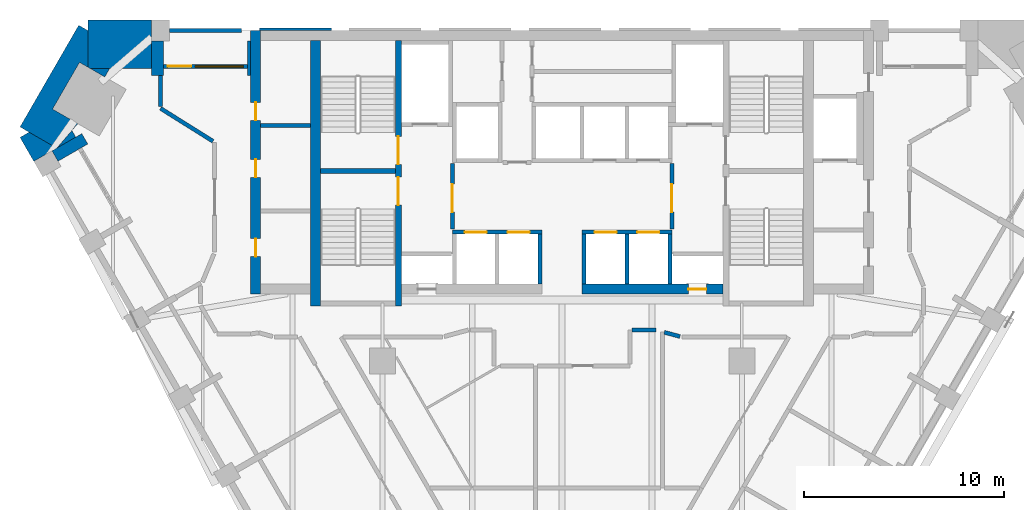
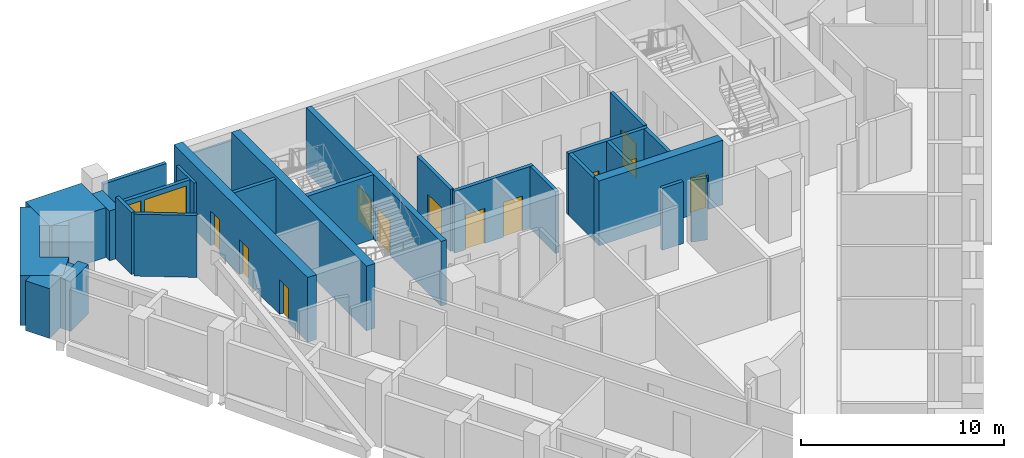
# One storey, part 5 of 9: 29 walls, 13 doors, 1 window, 14 openings.
"""IFC4 building model written with IfcOpenShell, lengths in metres."""

from ifc_helpers import new_model, si_unit, direction, frame, frame_2d, origin, place, context, subcontext, project, spatial, polyline, rectangle, outline, extrude, material, layer, layer_set, type_object, element, fill, save


model = new_model("IFC4")

# Units and contexts
model_context = context("Model", 3, precision=1e-05, world=origin(), true_north=direction((0.0, 1.0)))
body_context = subcontext(model_context, "Body", "Model", "MODEL_VIEW")
ifc_project = project(units=[si_unit("LENGTHUNIT", "METRE"), si_unit("AREAUNIT", "SQUARE_METRE"), si_unit("VOLUMEUNIT", "CUBIC_METRE"), si_unit("PLANEANGLEUNIT", "RADIAN"), si_unit("MASSUNIT", "GRAM", prefix="KILO")], contexts=[model_context])

# Site, building, storey
site_placement = place(None, origin())
site = spatial("IfcSite", under=ifc_project, at=site_placement, CompositionType="ELEMENT")
building_placement = place(site_placement, origin())
building = spatial("IfcBuilding", under=site, at=building_placement, Name="Calabash Gate Tower", CompositionType="ELEMENT")
storey_placement = place(building_placement, frame((0.0, 0.0, 160.199951171875)))
storey = spatial("IfcBuildingStorey", under=building, at=storey_placement, Name="L37", CompositionType="ELEMENT", Elevation=160.199951171875)

# Walls
ifc_material_1 = material(Name="Terracotta brick masonry, exposed face", Category="masonry")
ifc_layer_1 = layer(ifc_material_1, 2.425048828125)
ifc_layer_set_1 = layer_set([ifc_layer_1], Name="Brick corner mass wall 2425")
wall_type_1 = type_object("IfcWallType", Name="Brick corner mass wall 2425", PredefinedType="SOLIDWALL", material=ifc_layer_set_1)
wall_1_placement = place(storey_placement, origin())
element("IfcWall", 1, at=wall_1_placement, inside=storey, type_object=wall_type_1, Name="Brick corner pier S10 4a", PredefinedType="SOLIDWALL", context=body_context, shape_type="SweptSolid", body=[
    extrude(outline(polyline([(-23.645751953125, 17.152587890625), (-20.5625, 17.152587890625), (-20.5625, 18.528076171875), (-20.56298828125, 18.528076171875), (-20.56298828125, 19.57763671875), (-23.755615234375, 19.57763671875), (-23.755615234375, 17.216064453125), (-23.645751953125, 17.152587890625)])), origin(), (0.0, 0.0, 1.0), 3.0),
])
wall_2_placement = place(storey_placement, origin())
element("IfcWall", 2, at=wall_2_placement, inside=storey, type_object=wall_type_1, Name="Brick corner pier S10 4ba", PredefinedType="SOLIDWALL", context=body_context, shape_type="SweptSolid", body=[
    extrude(outline(polyline([(-24.25537109375, 14.386962890625), (-25.51806640625, 15.115966796875), (-24.168212890625, 17.4541015625), (-23.755615234375, 17.216064453125), (-23.755615234375, 19.052490234375), (-24.210205078125, 19.31494140625), (-27.150634765625, 14.221923828125), (-25.3125, 13.16064453125), (-24.25537109375, 14.386962890625)])), origin(), (0.0, 0.0, 1.0), 3.0),
])
wall_3_placement = place(storey_placement, origin())
element("IfcWall", 3, at=wall_3_placement, inside=storey, type_object=wall_type_1, Name="Brick corner pier S10 4bb", PredefinedType="SOLIDWALL", context=body_context, shape_type="SweptSolid", body=[
    extrude(outline(polyline([(-22.65869140625, 17.152587890625), (-23.645751953125, 17.152587890625), (-22.905517578125, 16.72509765625), (-22.65869140625, 17.152587890625)])), origin(), (0.0, 0.0, 1.0), 3.0),
])
wall_4_placement = place(storey_placement, origin())
element("IfcWall", 4, at=wall_4_placement, inside=storey, type_object=wall_type_1, Name="Brick corner pier S10 4ca", PredefinedType="SOLIDWALL", context=body_context, shape_type="SweptSolid", body=[
    extrude(outline(polyline([(-26.696044921875, 13.95947265625), (-27.150634765625, 13.697021484375), (-26.458984375, 12.498779296875), (-25.3125, 13.16064453125), (-26.696044921875, 13.95947265625)])), origin(), (0.0, 0.0, 1.0), 3.0),
])
wall_5_placement = place(storey_placement, origin())
element("IfcWall", 5, at=wall_5_placement, inside=storey, type_object=wall_type_1, Name="Brick corner pier S10 4cb", PredefinedType="SOLIDWALL", context=body_context, shape_type="SweptSolid", body=[
    extrude(outline(polyline([(-24.551025390625, 14.0439453125), (-25.305908203125, 13.168212890625), (-25.303955078125, 13.165771484375), (-24.35888671875, 13.71142578125), (-24.551025390625, 14.0439453125)])), origin(), (0.0, 0.0, 1.0), 3.0),
])
ifc_material_2 = material(Name="Terracotta brick masonry, exposed face", Category="masonry")
ifc_layer_2 = layer(ifc_material_2, 0.300048828125)
ifc_layer_set_2 = layer_set([ifc_layer_2], Name="Brick loggia cheek wall 300")
wall_type_2 = type_object("IfcWallType", Name="Brick loggia cheek wall 300", PredefinedType="SOLIDWALL", material=ifc_layer_set_2)
wall_6_placement = place(storey_placement, frame((-25.399169921875, 12.76416015625, 0.0), z_axis=(0.0, 0.0, 1.0), x_axis=(0.866004044806, 0.500036993012, 0.0)))
element("IfcWall", 6, at=wall_6_placement, inside=storey, type_object=wall_type_2, Name="Loggia cheek S10 SW0.0", PredefinedType="SOLIDWALL", context=body_context, shape_type="SweptSolid", body=[
    extrude(rectangle(XDim=1.724365234375, YDim=0.60009765625, at=frame_2d((0.8623046875, 0.0))), origin(), (0.0, 0.0, 1.0), 3.0),
])
wall_7_placement = place(storey_placement, origin())
element("IfcWall", 7, at=wall_7_placement, inside=storey, type_object=wall_type_2, Name="Loggia cheek S10 N6.8", PredefinedType="SOLIDWALL", context=body_context, shape_type="SweptSolid", body=[
    extrude(outline(polyline([(-15.762451171875, 16.802490234375), (-15.60009765625, 16.802490234375), (-15.60009765625, 18.527587890625), (-15.762451171875, 18.527587890625), (-15.762451171875, 16.802490234375)])), origin(), (0.0, 0.0, 1.0), 3.0),
])
wall_8_placement = place(storey_placement, origin())
element("IfcWall", 8, at=wall_8_placement, inside=storey, type_object=wall_type_2, Name="Loggia cheek S10 N6.9", PredefinedType="SOLIDWALL", context=body_context, shape_type="SweptSolid", body=[
    extrude(outline(polyline([(-20.5625, 18.527587890625), (-20.5625, 16.802490234375), (-19.962646484375, 16.802490234375), (-19.962646484375, 18.527587890625), (-20.5625, 18.527587890625)])), origin(), (0.0, 0.0, 1.0), 3.0),
])
ifc_material_3 = material(Name="Gypsum board on steel studs, mineral wool", Category="steel")
ifc_layer_3 = layer(ifc_material_3, 0.199951171875)
ifc_layer_set_3 = layer_set([ifc_layer_3], Name="Core partition 200 gypsum board")
wall_type_3 = type_object("IfcWallType", Name="Core partition 200 gypsum board", PredefinedType="PARTITIONING", material=ifc_layer_set_3)
wall_9_placement = place(storey_placement, frame((-15.10009765625, 14.28271484375, 0.0), z_axis=(0.0, 0.0, 1.0), x_axis=(1.0, 0.0, 0.0)))
element("IfcWall", 9, at=wall_9_placement, inside=storey, type_object=wall_type_3, Name="Core partition", PredefinedType="PARTITIONING", context=body_context, shape_type="SweptSolid", body=[
    extrude(rectangle(XDim=2.5, YDim=0.199951171875, at=frame_2d((1.25, 0.0))), origin(), (0.0, 0.0, 1.0), 3.72998046875),
])
ifc_material_4 = material(Name="Concrete C70/85", Category="concrete")
ifc_layer_4 = layer(ifc_material_4, 0.25)
ifc_layer_set_4 = layer_set([ifc_layer_4], Name="Core wall 250 Concrete C70/85")
wall_type_4 = type_object("IfcWallType", Name="Core wall 250 Concrete C70/85", PredefinedType="SHEAR", material=ifc_layer_set_4)
wall_10_placement = place(storey_placement, frame((-12.10009765625, 12.027587890625, 0.0), z_axis=(0.0, 0.0, 1.0), x_axis=(1.0, 0.0, 0.0)))
element("IfcWall", 10, at=wall_10_placement, inside=storey, type_object=wall_type_4, Name="Core wall Z3-MIDW L37", PredefinedType="SHEAR", context=body_context, shape_type="SweptSolid", body=[
    extrude(rectangle(XDim=3.75, YDim=0.25, at=frame_2d((1.875, 0.0))), origin(), (0.0, 0.0, 1.0), 3.900146484375),
])

# Wall, openings, doors
ifc_material_5 = material(Name="Concrete C70/85", Category="concrete")
ifc_layer_5 = layer(ifc_material_5, 0.300048828125)
ifc_layer_set_5 = layer_set([ifc_layer_5], Name="Core wall 300 Concrete C70/85")
wall_type_5 = type_object("IfcWallType", Name="Core wall 300 Concrete C70/85", PredefinedType="SHEAR", material=ifc_layer_set_5)
wall_11_placement = place(storey_placement, frame((-8.199951171875, 5.252685546875, 0.0), z_axis=(0.0, 0.0, 1.0), x_axis=(0.0, 1.0, 0.0)))
wall_11 = element("IfcWall", 11, at=wall_11_placement, inside=storey, type_object=wall_type_5, Name="Core wall Z3-PARTW L37", PredefinedType="SHEAR", context=body_context, shape_type="SweptSolid", body=[
    extrude(rectangle(XDim=13.2998046875, YDim=0.300048828125, at=frame_2d((6.64990234375, 0.0))), origin(), (0.0, 0.0, 1.0), 3.900146484375),
])
opening_1_placement = place(wall_11_placement, frame((7.10009765625, 0.0, 0.0)))
opening_1 = element("IfcOpeningElement", 12, at=opening_1_placement, cuts=wall_11, Name="Opening O2-015", PredefinedType="OPENING", context=body_context, shape_type="SweptSolid", body=[
    extrude(rectangle(XDim=1.39990234375, YDim=2.10009765625, at=frame_2d((0.699951171875, 1.050048828125))), frame((0.0, 0.159912109375, 0.0), z_axis=(0.0, -1.0, 0.0), x_axis=(1.0, 0.0, 0.0)), (0.0, 0.0, 1.0), 0.320068359375),
])
opening_2_placement = place(wall_11_placement, frame((5.050048828125, 0.0, 0.0)))
opening_2 = element("IfcOpeningElement", 13, at=opening_2_placement, cuts=wall_11, Name="Opening O2-016", PredefinedType="OPENING", context=body_context, shape_type="SweptSolid", body=[
    extrude(rectangle(XDim=1.39990234375, YDim=2.10009765625, at=frame_2d((0.699951171875, 1.050048828125))), frame((0.0, 0.159912109375, 0.0), z_axis=(0.0, -1.0, 0.0), x_axis=(1.0, 0.0, 0.0)), (0.0, 0.0, 1.0), 0.320068359375),
])
ifc_material_6 = material(Name="Steel fire door set with fire-resisting glazing", Category="steel")
door_type_1 = type_object("IfcDoorType", Name="Fire door D05 1400x2100 FD90", OperationType="NOTDEFINED", PredefinedType="DOOR", material=ifc_material_6)
door_1_placement = place(opening_1_placement, origin())
door_1 = element("IfcDoor", 14, at=door_1_placement, inside=storey, type_object=door_type_1, Name="Exit stair door ST1", OperationType="SINGLE_SWING_LEFT", OverallHeight=2.10009765625, OverallWidth=1.39990234375, PredefinedType="DOOR", context=body_context, shape_type="SweptSolid", body=[
    extrude(rectangle(XDim=1.39990234375, YDim=2.10009765625, at=frame_2d((0.699951171875, 1.050048828125))), frame((0.0, 0.02490234375, 0.0), z_axis=(0.0, -1.0, 0.0), x_axis=(1.0, 0.0, 0.0)), (0.0, 0.0, 1.0), 0.050048828125),
])
fill(opening_1, door_1)
door_2_placement = place(opening_2_placement, origin())
door_2 = element("IfcDoor", 15, at=door_2_placement, inside=storey, type_object=door_type_1, Name="Exit stair door ST2", OperationType="SINGLE_SWING_LEFT", OverallHeight=2.10009765625, OverallWidth=1.39990234375, PredefinedType="DOOR", context=body_context, shape_type="SweptSolid", body=[
    extrude(rectangle(XDim=1.39990234375, YDim=2.10009765625, at=frame_2d((0.699951171875, 1.050048828125))), frame((0.0, 0.02490234375, 0.0), z_axis=(0.0, -1.0, 0.0), x_axis=(1.0, 0.0, 0.0)), (0.0, 0.0, 1.0), 0.050048828125),
])
fill(opening_2, door_2)

# Wall
ifc_material_7 = material(Name="Concrete C70/85", Category="concrete")
ifc_layer_6 = layer(ifc_material_7, 0.5)
ifc_layer_set_6 = layer_set([ifc_layer_6], Name="Core wall 500 Concrete C70/85")
wall_type_6 = type_object("IfcWallType", Name="Core wall 500 Concrete C70/85", PredefinedType="SHEAR", material=ifc_layer_set_6)
wall_12_placement = place(storey_placement, frame((-12.35009765625, 5.252685546875, 0.0), z_axis=(0.0, 0.0, 1.0), x_axis=(0.0, 1.0, 0.0)))
element("IfcWall", 16, at=wall_12_placement, inside=storey, type_object=wall_type_6, Name="Core wall Z3-COLW L37", PredefinedType="SHEAR", context=body_context, shape_type="SweptSolid", body=[
    extrude(rectangle(XDim=13.2998046875, YDim=0.5, at=frame_2d((6.64990234375, 0.0))), origin(), (0.0, 0.0, 1.0), 3.900146484375),
])

# Wall, opening, door
wall_13_placement = place(storey_placement, frame((1.0, 6.1025390625, 0.0), z_axis=(0.0, 0.0, 1.0), x_axis=(1.0, 0.0, 0.0)))
wall_13 = element("IfcWall", 17, at=wall_13_placement, inside=storey, type_object=wall_type_6, Name="Core wall Z3-SB L37", PredefinedType="SHEAR", context=body_context, shape_type="SweptSolid", body=[
    extrude(rectangle(XDim=7.050048828125, YDim=0.5, at=frame_2d((3.52490234375, 0.0))), origin(), (0.0, 0.0, 1.0), 3.900146484375),
])
opening_3_placement = place(wall_13_placement, frame((5.324951171875, 0.0, 0.0)))
opening_3 = element("IfcOpeningElement", 18, at=opening_3_placement, cuts=wall_13, Name="Opening O2-013", PredefinedType="OPENING", context=body_context, shape_type="SweptSolid", body=[
    extrude(rectangle(XDim=0.89990234375, YDim=2.10009765625, at=frame_2d((0.449951171875, 1.050048828125))), frame((0.0, 0.260009765625, 0.0), z_axis=(0.0, -1.0, 0.0), x_axis=(1.0, 0.0, 0.0)), (0.0, 0.0, 1.0), 0.52001953125),
])
ifc_material_8 = material(Name="Steel fire door set with fire-resisting glazing", Category="steel")
door_type_2 = type_object("IfcDoorType", Name="Fire door D07 900x2100 FD90", OperationType="NOTDEFINED", PredefinedType="DOOR", material=ifc_material_8)
door_3_placement = place(opening_3_placement, origin())
door_3 = element("IfcDoor", 19, at=door_3_placement, inside=storey, type_object=door_type_2, Name="Mechanical Riser E door", OperationType="SINGLE_SWING_RIGHT", OverallHeight=2.10009765625, OverallWidth=0.89990234375, PredefinedType="DOOR", context=body_context, shape_type="SweptSolid", body=[
    extrude(rectangle(XDim=0.89990234375, YDim=2.10009765625, at=frame_2d((0.449951171875, 1.050048828125))), frame((0.0, 0.02490234375, 0.0), z_axis=(0.0, -1.0, 0.0), x_axis=(1.0, 0.0, 0.0)), (0.0, 0.0, 1.0), 0.050048828125),
])
fill(opening_3, door_3)

# Wall, openings, doors
wall_14_placement = place(storey_placement, frame((-15.35009765625, 5.8525390625, 0.0), z_axis=(0.0, 0.0, 1.0), x_axis=(0.0, 1.0, 0.0)))
wall_14 = element("IfcWall", 20, at=wall_14_placement, inside=storey, type_object=wall_type_6, Name="Core wall Z3-ENDW L37", PredefinedType="SHEAR", context=body_context, shape_type="SweptSolid", body=[
    extrude(rectangle(XDim=13.199951171875, YDim=0.5, at=frame_2d((6.60009765625, 0.0))), origin(), (0.0, 0.0, 1.0), 3.900146484375),
])
opening_4_placement = place(wall_14_placement, frame((1.8798828125, 0.0, 0.0)))
opening_4 = element("IfcOpeningElement", 21, at=opening_4_placement, cuts=wall_14, Name="Opening O2-004", PredefinedType="OPENING", context=body_context, shape_type="SweptSolid", body=[
    extrude(rectangle(XDim=0.89990234375, YDim=2.10009765625, at=frame_2d((0.449951171875, 1.050048828125))), frame((0.0, 0.260009765625, 0.0), z_axis=(0.0, -1.0, 0.0), x_axis=(1.0, 0.0, 0.0)), (0.0, 0.0, 1.0), 0.52001953125),
])
opening_5_placement = place(wall_14_placement, frame((5.844970703125, 0.0, 0.0)))
opening_5 = element("IfcOpeningElement", 22, at=opening_5_placement, cuts=wall_14, Name="Opening O2-005", PredefinedType="OPENING", context=body_context, shape_type="SweptSolid", body=[
    extrude(rectangle(XDim=0.89990234375, YDim=2.10009765625, at=frame_2d((0.449951171875, 1.050048828125))), frame((0.0, 0.260009765625, 0.0), z_axis=(0.0, -1.0, 0.0), x_axis=(1.0, 0.0, 0.0)), (0.0, 0.0, 1.0), 0.52001953125),
])
opening_6_placement = place(wall_14_placement, frame((8.697509765625, 0.0, 0.0)))
opening_6 = element("IfcOpeningElement", 23, at=opening_6_placement, cuts=wall_14, Name="Opening O2-006", PredefinedType="OPENING", context=body_context, shape_type="SweptSolid", body=[
    extrude(rectangle(XDim=0.89990234375, YDim=2.10009765625, at=frame_2d((0.449951171875, 1.050048828125))), frame((0.0, 0.260009765625, 0.0), z_axis=(0.0, -1.0, 0.0), x_axis=(1.0, 0.0, 0.0)), (0.0, 0.0, 1.0), 0.52001953125),
])
ifc_material_9 = material(Name="Steel fire door set with fire-resisting glazing", Category="steel")
door_type_3 = type_object("IfcDoorType", Name="Fire door D06 900x2100 FD60", OperationType="NOTDEFINED", PredefinedType="DOOR", material=ifc_material_9)
door_4_placement = place(opening_4_placement, origin())
door_4 = element("IfcDoor", 24, at=door_4_placement, inside=storey, type_object=door_type_3, Name="Tenant Pantry door", OperationType="SINGLE_SWING_LEFT", OverallHeight=2.10009765625, OverallWidth=0.89990234375, PredefinedType="DOOR", context=body_context, shape_type="SweptSolid", body=[
    extrude(rectangle(XDim=0.89990234375, YDim=2.10009765625, at=frame_2d((0.449951171875, 1.050048828125))), frame((0.0, 0.02490234375, 0.0), z_axis=(0.0, -1.0, 0.0), x_axis=(1.0, 0.0, 0.0)), (0.0, 0.0, 1.0), 0.050048828125),
])
fill(opening_4, door_4)
door_5_placement = place(opening_5_placement, origin())
door_5 = element("IfcDoor", 25, at=door_5_placement, inside=storey, type_object=door_type_3, Name="Comms Room door", OperationType="SINGLE_SWING_LEFT", OverallHeight=2.10009765625, OverallWidth=0.89990234375, PredefinedType="DOOR", context=body_context, shape_type="SweptSolid", body=[
    extrude(rectangle(XDim=0.89990234375, YDim=2.10009765625, at=frame_2d((0.449951171875, 1.050048828125))), frame((0.0, 0.02490234375, 0.0), z_axis=(0.0, -1.0, 0.0), x_axis=(1.0, 0.0, 0.0)), (0.0, 0.0, 1.0), 0.050048828125),
])
fill(opening_5, door_5)
door_6_placement = place(opening_6_placement, origin())
door_6 = element("IfcDoor", 26, at=door_6_placement, inside=storey, type_object=door_type_3, Name="Cleaner's Store door", OperationType="SINGLE_SWING_LEFT", OverallHeight=2.10009765625, OverallWidth=0.89990234375, PredefinedType="DOOR", context=body_context, shape_type="SweptSolid", body=[
    extrude(rectangle(XDim=0.89990234375, YDim=2.10009765625, at=frame_2d((0.449951171875, 1.050048828125))), frame((0.0, 0.02490234375, 0.0), z_axis=(0.0, -1.0, 0.0), x_axis=(1.0, 0.0, 0.0)), (0.0, 0.0, 1.0), 0.050048828125),
])
fill(opening_6, door_6)

# Walls
ifc_material_10 = material(Name="Gypsum board on steel studs, mineral wool", Category="steel")
ifc_layer_7 = layer(ifc_material_10, 0.199951171875)
ifc_layer_set_7 = layer_set([ifc_layer_7], Name="Partition 200 gypsum board EI 60")
wall_type_7 = type_object("IfcWallType", Name="Partition 200 gypsum board EI 60", PredefinedType="PARTITIONING", material=ifc_layer_set_7)
wall_15_placement = place(storey_placement, frame((5.118408203125, 3.937255859375, 0.0), z_axis=(0.0, 0.0, 1.0), x_axis=(0.965583853378, -0.260091949308, 0.0)))
element("IfcWall", 27, at=wall_15_placement, inside=storey, type_object=wall_type_7, Name="Partition", PredefinedType="PARTITIONING", context=body_context, shape_type="SweptSolid", body=[
    extrude(rectangle(XDim=0.81298828125, YDim=0.199951171875, at=frame_2d((0.406494140625, 0.0))), origin(), (0.0, 0.0, 1.0), 3.72998046875),
])
wall_16_placement = place(storey_placement, frame((3.501953125, 4.05078125, 0.0), z_axis=(0.0, 0.0, 1.0), x_axis=(0.999998982503, 0.001426532072, 0.0)))
element("IfcWall", 28, at=wall_16_placement, inside=storey, type_object=wall_type_7, Name="Partition", PredefinedType="PARTITIONING", context=body_context, shape_type="SweptSolid", body=[
    extrude(rectangle(XDim=1.197998046875, YDim=0.199951171875, at=frame_2d((0.59912109375, 0.0))), origin(), (0.0, 0.0, 1.0), 3.72998046875),
])
wall_17_placement = place(storey_placement, frame((-20.11279296875, 15.152099609375, 0.0), z_axis=(0.0, 0.0, 1.0), x_axis=(0.847356354359, -0.531024678078, 0.0)))
element("IfcWall", 29, at=wall_17_placement, inside=storey, type_object=wall_type_7, Name="Partition", PredefinedType="PARTITIONING", context=body_context, shape_type="SweptSolid", body=[
    extrude(rectangle(XDim=3.10107421875, YDim=0.199951171875, at=frame_2d((1.550537109375, 0.0))), origin(), (0.0, 0.0, 1.0), 3.72998046875),
])
wall_18_placement = place(storey_placement, frame((-20.113037109375, 16.802490234375, 0.0), z_axis=(0.0, 0.0, 1.0), x_axis=(0.000157480313, -0.9999999876, 0.0)))
element("IfcWall", 30, at=wall_18_placement, inside=storey, type_object=wall_type_7, Name="Partition", PredefinedType="PARTITIONING", context=body_context, shape_type="SweptSolid", body=[
    extrude(rectangle(XDim=1.55029296875, YDim=0.199951171875, at=frame_2d((0.775146484375, 0.0))), origin(), (0.0, 0.0, 1.0), 3.72998046875),
])
ifc_material_11 = material(Name="Concrete C40/50", Category="concrete")
ifc_layer_8 = layer(ifc_material_11, 0.199951171875)
ifc_layer_set_8 = layer_set([ifc_layer_8], Name="Shaft wall 200 Concrete C40/50")
wall_type_8 = type_object("IfcWallType", Name="Shaft wall 200 Concrete C40/50", PredefinedType="SOLIDWALL", material=ifc_layer_set_8)
for number, where, z_axis, x_axis, name in (
    (31, (-1.10009765625, 6.3525390625, 0.0), (0.0, 0.0, 1.0), (0.0, 1.0, 0.0), "Shaft wall"),
    (32, (1.10009765625, 6.3525390625, 0.0), (0.0, 0.0, 1.0), (0.0, 1.0, 0.0), "Shaft wall"),
    (33, (3.25, 6.3525390625, 0.0), (0.0, 0.0, 1.0), (0.0, 1.0, 0.0), "Shaft wall"),
    (34, (5.39990234375, 6.3525390625, 0.0), (0.0, 0.0, 1.0), (0.0, 1.0, 0.0), "Shaft wall"),
):
    element("IfcWall", number, at=place(storey_placement, frame(where, z_axis=z_axis, x_axis=x_axis)), inside=storey, type_object=wall_type_8, Name=name, PredefinedType="SOLIDWALL", context=body_context, shape_type="SweptSolid", body=[
        extrude(rectangle(XDim=2.5, YDim=0.199951171875, at=frame_2d((1.25, 0.0))), origin(), (0.0, 0.0, 1.0), 3.72998046875),
    ])

# Wall, openings, doors
wall_19_placement = place(storey_placement, frame((-5.5, 8.95263671875, 0.0), z_axis=(0.0, 0.0, 1.0), x_axis=(1.0, 0.0, 0.0)))
wall_19 = element("IfcWall", 35, at=wall_19_placement, inside=storey, type_object=wall_type_8, Name="Shaft wall", PredefinedType="SOLIDWALL", context=body_context, shape_type="SweptSolid", body=[
    extrude(rectangle(XDim=4.5, YDim=0.199951171875, at=frame_2d((2.25, 0.0))), origin(), (0.0, 0.0, 1.0), 3.72998046875),
])
opening_7_placement = place(wall_19_placement, frame((0.625, 0.0, 0.0)))
opening_7 = element("IfcOpeningElement", 36, at=opening_7_placement, cuts=wall_19, Name="Opening LD-HR1", PredefinedType="OPENING", context=body_context, shape_type="SweptSolid", body=[
    extrude(rectangle(XDim=1.10009765625, YDim=2.10009765625, at=frame_2d((0.550048828125, 1.050048828125))), frame((0.0, 0.10986328125, 0.0), z_axis=(0.0, -1.0, 0.0), x_axis=(1.0, 0.0, 0.0)), (0.0, 0.0, 1.0), 0.219970703125),
])
opening_8_placement = place(wall_19_placement, frame((2.77490234375, 0.0, 0.0)))
opening_8 = element("IfcOpeningElement", 37, at=opening_8_placement, cuts=wall_19, Name="Opening LD-HR2", PredefinedType="OPENING", context=body_context, shape_type="SweptSolid", body=[
    extrude(rectangle(XDim=1.10009765625, YDim=2.10009765625, at=frame_2d((0.550048828125, 1.050048828125))), frame((0.0, 0.10986328125, 0.0), z_axis=(0.0, -1.0, 0.0), x_axis=(1.0, 0.0, 0.0)), (0.0, 0.0, 1.0), 0.219970703125),
])
ifc_material_12 = material(Name="Stainless steel sliding door leaves", Category="steel")
door_type_4 = type_object("IfcDoorType", Name="Lift landing door LS1 1100x2100 FD90", OperationType="DOUBLE_DOOR_SLIDING", PredefinedType="DOOR", material=ifc_material_12)
door_7_placement = place(opening_7_placement, origin())
door_7 = element("IfcDoor", 38, at=door_7_placement, inside=storey, type_object=door_type_4, Name="Lift landing door HR1", OperationType="DOUBLE_DOOR_SLIDING", OverallHeight=2.10009765625, OverallWidth=1.10009765625, PredefinedType="DOOR", context=body_context, shape_type="SweptSolid", body=[
    extrude(rectangle(XDim=1.10009765625, YDim=2.10009765625, at=frame_2d((0.550048828125, 1.050048828125))), frame((0.0, 0.02490234375, 0.0), z_axis=(0.0, -1.0, 0.0), x_axis=(1.0, 0.0, 0.0)), (0.0, 0.0, 1.0), 0.050048828125),
])
fill(opening_7, door_7)
door_8_placement = place(opening_8_placement, origin())
door_8 = element("IfcDoor", 39, at=door_8_placement, inside=storey, type_object=door_type_4, Name="Lift landing door HR2", OperationType="DOUBLE_DOOR_SLIDING", OverallHeight=2.10009765625, OverallWidth=1.10009765625, PredefinedType="DOOR", context=body_context, shape_type="SweptSolid", body=[
    extrude(rectangle(XDim=1.10009765625, YDim=2.10009765625, at=frame_2d((0.550048828125, 1.050048828125))), frame((0.0, 0.02490234375, 0.0), z_axis=(0.0, -1.0, 0.0), x_axis=(1.0, 0.0, 0.0)), (0.0, 0.0, 1.0), 0.050048828125),
])
fill(opening_8, door_8)

wall_20_placement = place(storey_placement, frame((1.0, 8.95263671875, 0.0), z_axis=(0.0, 0.0, 1.0), x_axis=(1.0, 0.0, 0.0)))
wall_20 = element("IfcWall", 40, at=wall_20_placement, inside=storey, type_object=wall_type_8, Name="Shaft wall", PredefinedType="SOLIDWALL", context=body_context, shape_type="SweptSolid", body=[
    extrude(rectangle(XDim=4.5, YDim=0.199951171875, at=frame_2d((2.25, 0.0))), origin(), (0.0, 0.0, 1.0), 3.72998046875),
])
opening_9_placement = place(wall_20_placement, frame((0.625, 0.0, 0.0)))
opening_9 = element("IfcOpeningElement", 41, at=opening_9_placement, cuts=wall_20, Name="Opening LD-HR3", PredefinedType="OPENING", context=body_context, shape_type="SweptSolid", body=[
    extrude(rectangle(XDim=1.10009765625, YDim=2.10009765625, at=frame_2d((0.550048828125, 1.050048828125))), frame((0.0, 0.10986328125, 0.0), z_axis=(0.0, -1.0, 0.0), x_axis=(1.0, 0.0, 0.0)), (0.0, 0.0, 1.0), 0.219970703125),
])
opening_10_placement = place(wall_20_placement, frame((2.77490234375, 0.0, 0.0)))
opening_10 = element("IfcOpeningElement", 42, at=opening_10_placement, cuts=wall_20, Name="Opening LD-HR4", PredefinedType="OPENING", context=body_context, shape_type="SweptSolid", body=[
    extrude(rectangle(XDim=1.10009765625, YDim=2.10009765625, at=frame_2d((0.550048828125, 1.050048828125))), frame((0.0, 0.10986328125, 0.0), z_axis=(0.0, -1.0, 0.0), x_axis=(1.0, 0.0, 0.0)), (0.0, 0.0, 1.0), 0.219970703125),
])
door_9_placement = place(opening_9_placement, origin())
door_9 = element("IfcDoor", 43, at=door_9_placement, inside=storey, type_object=door_type_4, Name="Lift landing door HR3", OperationType="DOUBLE_DOOR_SLIDING", OverallHeight=2.10009765625, OverallWidth=1.10009765625, PredefinedType="DOOR", context=body_context, shape_type="SweptSolid", body=[
    extrude(rectangle(XDim=1.10009765625, YDim=2.10009765625, at=frame_2d((0.550048828125, 1.050048828125))), frame((0.0, 0.02490234375, 0.0), z_axis=(0.0, -1.0, 0.0), x_axis=(1.0, 0.0, 0.0)), (0.0, 0.0, 1.0), 0.050048828125),
])
fill(opening_9, door_9)
door_10_placement = place(opening_10_placement, origin())
door_10 = element("IfcDoor", 44, at=door_10_placement, inside=storey, type_object=door_type_4, Name="Lift landing door HR4", OperationType="DOUBLE_DOOR_SLIDING", OverallHeight=2.10009765625, OverallWidth=1.10009765625, PredefinedType="DOOR", context=body_context, shape_type="SweptSolid", body=[
    extrude(rectangle(XDim=1.10009765625, YDim=2.10009765625, at=frame_2d((0.550048828125, 1.050048828125))), frame((0.0, 0.02490234375, 0.0), z_axis=(0.0, -1.0, 0.0), x_axis=(1.0, 0.0, 0.0)), (0.0, 0.0, 1.0), 0.050048828125),
])
fill(opening_10, door_10)

# Wall, opening, door
wall_21_placement = place(storey_placement, frame((-5.5, 9.1025390625, 0.0), z_axis=(0.0, 0.0, 1.0), x_axis=(0.0, 1.0, 0.0)))
wall_21 = element("IfcWall", 45, at=wall_21_placement, inside=storey, type_object=wall_type_8, Name="Shaft wall", PredefinedType="SOLIDWALL", context=body_context, shape_type="SweptSolid", body=[
    extrude(rectangle(XDim=3.300048828125, YDim=0.199951171875, at=frame_2d((1.64990234375, 0.0))), origin(), (0.0, 0.0, 1.0), 3.72998046875),
])
opening_11_placement = place(wall_21_placement, frame((0.85009765625, 0.0, 0.0)))
opening_11 = element("IfcOpeningElement", 46, at=opening_11_placement, cuts=wall_21, Name="Opening O2-009", PredefinedType="OPENING", context=body_context, shape_type="SweptSolid", body=[
    extrude(rectangle(XDim=1.39990234375, YDim=2.10009765625, at=frame_2d((0.699951171875, 1.050048828125))), frame((0.0, 0.10986328125, 0.0), z_axis=(0.0, -1.0, 0.0), x_axis=(1.0, 0.0, 0.0)), (0.0, 0.0, 1.0), 0.219970703125),
])
door_11_placement = place(opening_11_placement, origin())
door_11 = element("IfcDoor", 47, at=door_11_placement, inside=storey, type_object=door_type_1, Name="Firefighting Lobby W door", OperationType="SINGLE_SWING_RIGHT", OverallHeight=2.10009765625, OverallWidth=1.39990234375, PredefinedType="DOOR", context=body_context, shape_type="SweptSolid", body=[
    extrude(rectangle(XDim=1.39990234375, YDim=2.10009765625, at=frame_2d((0.699951171875, 1.050048828125))), frame((0.0, 0.02490234375, 0.0), z_axis=(0.0, -1.0, 0.0), x_axis=(1.0, 0.0, 0.0)), (0.0, 0.0, 1.0), 0.050048828125),
])
fill(opening_11, door_11)

wall_22_placement = place(storey_placement, frame((5.5, 9.1025390625, 0.0), z_axis=(0.0, 0.0, 1.0), x_axis=(0.0, 1.0, 0.0)))
wall_22 = element("IfcWall", 48, at=wall_22_placement, inside=storey, type_object=wall_type_8, Name="Shaft wall", PredefinedType="SOLIDWALL", context=body_context, shape_type="SweptSolid", body=[
    extrude(rectangle(XDim=3.300048828125, YDim=0.199951171875, at=frame_2d((1.64990234375, 0.0))), origin(), (0.0, 0.0, 1.0), 3.72998046875),
])
opening_12_placement = place(wall_22_placement, frame((0.85009765625, 0.0, 0.0)))
opening_12 = element("IfcOpeningElement", 49, at=opening_12_placement, cuts=wall_22, Name="Opening O2-008", PredefinedType="OPENING", context=body_context, shape_type="SweptSolid", body=[
    extrude(rectangle(XDim=1.39990234375, YDim=2.10009765625, at=frame_2d((0.699951171875, 1.050048828125))), frame((0.0, 0.10986328125, 0.0), z_axis=(0.0, -1.0, 0.0), x_axis=(1.0, 0.0, 0.0)), (0.0, 0.0, 1.0), 0.219970703125),
])
door_12_placement = place(opening_12_placement, origin())
door_12 = element("IfcDoor", 50, at=door_12_placement, inside=storey, type_object=door_type_1, Name="Firefighting Lobby E door", OperationType="SINGLE_SWING_LEFT", OverallHeight=2.10009765625, OverallWidth=1.39990234375, PredefinedType="DOOR", context=body_context, shape_type="SweptSolid", body=[
    extrude(rectangle(XDim=1.39990234375, YDim=2.10009765625, at=frame_2d((0.699951171875, 1.050048828125))), frame((0.0, 0.02490234375, 0.0), z_axis=(0.0, -1.0, 0.0), x_axis=(1.0, 0.0, 0.0)), (0.0, 0.0, 1.0), 0.050048828125),
])
fill(opening_12, door_12)

# Walls
ifc_material_13 = material(Name="Terracotta brick masonry, perforated", Category="masonry")
ifc_layer_9 = layer(ifc_material_13, 0.199951171875)
ifc_layer_set_9 = layer_set([ifc_layer_9], Name="Terracotta jaali screen B")
wall_type_9 = type_object("IfcWallType", Name="Terracotta jaali screen B", PredefinedType="SOLIDWALL", material=ifc_layer_set_9)
wall_23_placement = place(storey_placement, frame((-16.0625, 19.052490234375, 0.0), z_axis=(0.0, 0.0, 1.0), x_axis=(-1.0, 0.0, 0.0)))
element("IfcWall", 51, at=wall_23_placement, inside=storey, type_object=wall_type_9, Name="SCREEN B S10 N6.9", PredefinedType="SOLIDWALL", context=body_context, shape_type="SweptSolid", body=[
    extrude(rectangle(XDim=3.60009765625, YDim=0.199951171875, at=frame_2d((1.800048828125, 0.0))), origin(), (0.0, 0.0, 1.0), 3.0),
])
ifc_material_14 = material(Name="Terracotta louvre blades in an aluminium frame", Category="masonry")
ifc_layer_10 = layer(ifc_material_14, 0.1201171875)
ifc_layer_set_10 = layer_set([ifc_layer_10], Name="Terracotta vent louvre cladding 120")
wall_type_10 = type_object("IfcWallType", Name="Terracotta vent louvre cladding 120", PredefinedType="ELEMENTEDWALL", material=ifc_layer_set_10)
wall_24_placement = place(storey_placement, origin())
element("IfcWall", 52, at=wall_24_placement, inside=storey, type_object=wall_type_10, Name="Vent louvre cladding S10 N6.8", PredefinedType="ELEMENTEDWALL", context=body_context, shape_type="SweptSolid", body=[
    extrude(outline(polyline([(-15.16259765625, 19.172607421875), (-15.16259765625, 19.052490234375), (-11.5625, 19.052490234375), (-11.5625, 19.172607421875), (-15.16259765625, 19.172607421875)])), origin(), (0.0, 0.0, 1.0), 3.0),
])

# Wall, openings, door, window
ifc_material_15 = material(Name="Aluminium framed window wall with insulated spandrel", Category="aluminium")
ifc_layer_11 = layer(ifc_material_15, 0.199951171875)
ifc_layer_set_11 = layer_set([ifc_layer_11], Name="Window wall 200")
wall_type_11 = type_object("IfcWallType", Name="Window wall 200", PredefinedType="ELEMENTEDWALL", material=ifc_layer_set_11)
wall_25_placement = place(storey_placement, frame((-15.762451171875, 17.25244140625, 0.0), z_axis=(0.0, 0.0, 1.0), x_axis=(-1.0, 0.0, 0.0)))
wall_25 = element("IfcWall", 53, at=wall_25_placement, inside=storey, type_object=wall_type_11, Name="Window wall S10 N6.9", PredefinedType="ELEMENTEDWALL", context=body_context, shape_type="SweptSolid", body=[
    extrude(rectangle(XDim=4.2001953125, YDim=0.199951171875, at=frame_2d((2.10009765625, 0.0))), origin(), (0.0, 0.0, 1.0), 3.0),
])
opening_13_placement = place(wall_25_placement, frame((0.199951171875, 0.0, 0.449951171875)))
opening_13 = element("IfcOpeningElement", 54, at=opening_13_placement, cuts=wall_25, Name="Opening OW1", PredefinedType="OPENING", context=body_context, shape_type="SweptSolid", body=[
    extrude(rectangle(XDim=2.39990234375, YDim=2.25, at=frame_2d((1.199951171875, 1.125))), frame((0.0, 0.10986328125, 0.0), z_axis=(0.0, -1.0, 0.0), x_axis=(1.0, 0.0, 0.0)), (0.0, 0.0, 1.0), 0.219970703125),
])
opening_14_placement = place(wall_25_placement, frame((2.800048828125, 0.0, 0.0)))
opening_14 = element("IfcOpeningElement", 55, at=opening_14_placement, cuts=wall_25, Name="Opening O2-020", PredefinedType="OPENING", context=body_context, shape_type="SweptSolid", body=[
    extrude(rectangle(XDim=1.199951171875, YDim=2.699951171875, at=frame_2d((0.60009765625, 1.35009765625))), frame((0.0, 0.10986328125, 0.0), z_axis=(0.0, -1.0, 0.0), x_axis=(1.0, 0.0, 0.0)), (0.0, 0.0, 1.0), 0.219970703125),
])
ifc_material_16 = material(Name="Anodised aluminium frame, bronze finish, impact-rated laminated clear glazing", Category="aluminium")
door_type_5 = type_object("IfcDoorType", Name="Loggia door DO1 1200x2700", OperationType="SLIDING_TO_LEFT", PredefinedType="DOOR", material=ifc_material_16)
door_13_placement = place(opening_14_placement, origin())
door_13 = element("IfcDoor", 56, at=door_13_placement, inside=storey, type_object=door_type_5, Name="Loggia door S10 N6.9", OperationType="SINGLE_SWING_LEFT", OverallHeight=2.699951171875, OverallWidth=1.199951171875, PredefinedType="DOOR", context=body_context, shape_type="SweptSolid", body=[
    extrude(rectangle(XDim=1.199951171875, YDim=2.699951171875, at=frame_2d((0.60009765625, 1.35009765625))), frame((0.0, 0.02490234375, 0.0), z_axis=(0.0, -1.0, 0.0), x_axis=(1.0, 0.0, 0.0)), (0.0, 0.0, 1.0), 0.050048828125),
])
fill(opening_14, door_13)
ifc_material_17 = material(Name="Anodised aluminium frame, bronze finish, impact-rated laminated clear glazing", Category="aluminium")
window_type = type_object("IfcWindowType", Name="Window OW1 2400x2250", PartitioningType="DOUBLE_PANEL_VERTICAL", PredefinedType="WINDOW", material=ifc_material_17)
window_placement = place(opening_13_placement, origin())
window = element("IfcWindow", 57, at=window_placement, inside=storey, type_object=window_type, Name="Window OW1 S10 N6.9", OverallHeight=2.25, OverallWidth=2.39990234375, PartitioningType="SINGLE_PANEL", PredefinedType="WINDOW", context=body_context, shape_type="SweptSolid", body=[
    extrude(rectangle(XDim=2.39990234375, YDim=2.25, at=frame_2d((1.199951171875, 1.125))), frame((0.0, 0.030029296875, 0.0), z_axis=(0.0, -1.0, 0.0), x_axis=(1.0, 0.0, 0.0)), (0.0, 0.0, 1.0), 0.06005859375),
])
fill(opening_13, window)

save(model, "model.ifc")
